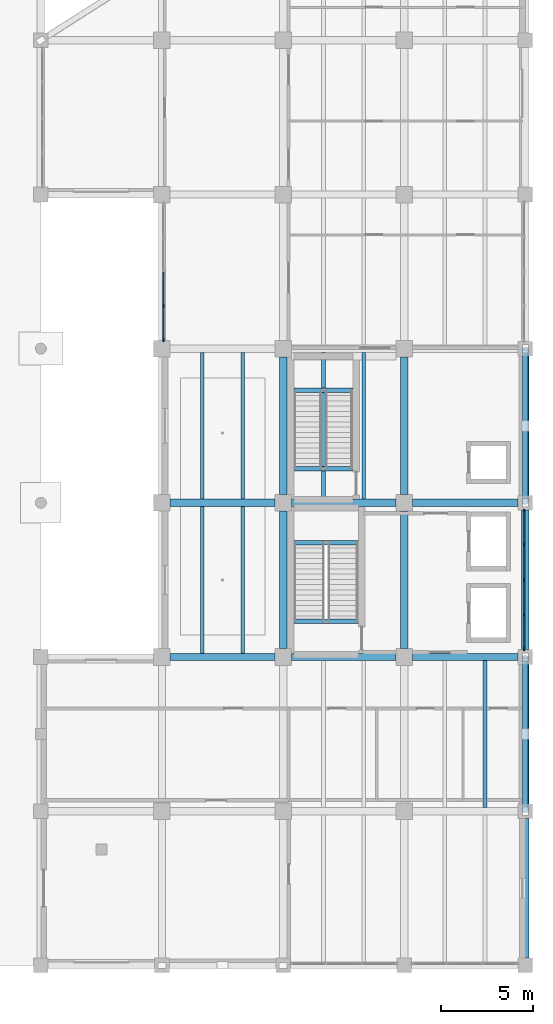
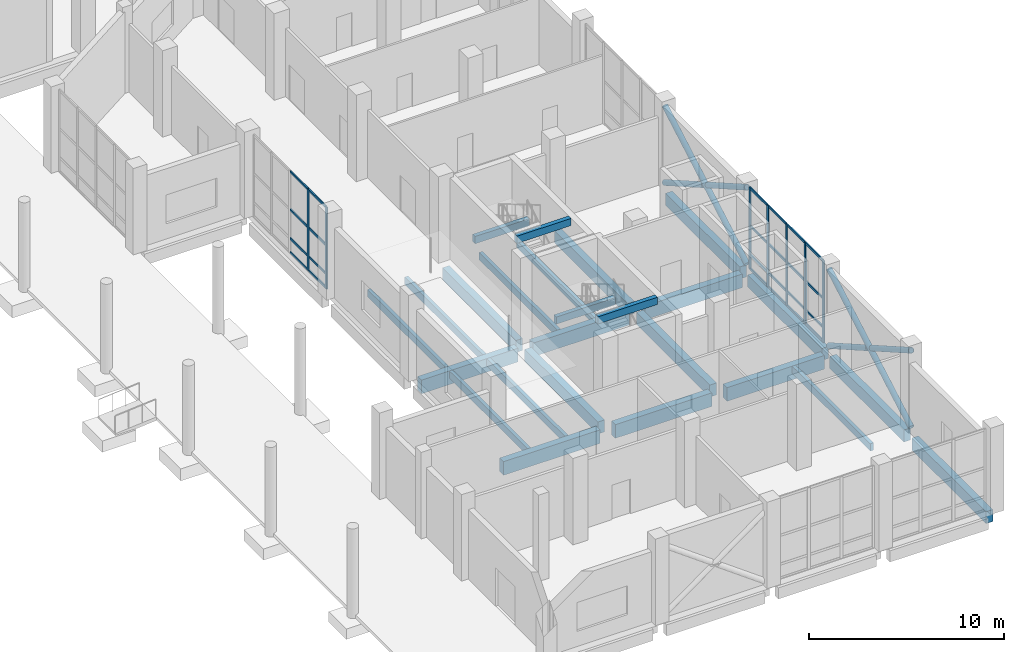
# One storey, part 17 of 64: 37 members, 25 beams, 2 elements without a shape of their own.
"""IFC4 building model written with IfcOpenShell, lengths in metres."""

from ifc_helpers import new_model, si_unit, direction, frame, origin, origin_2d, place, context, subcontext, project, spatial, rectangle, hollow_circle, extrude, material, material_profile, profile_set, type_object, element, aggregate, save


model = new_model("IFC4")

# Units and contexts
model_context = context("Model", 3, precision=1e-05, world=origin(), true_north=direction((0.0, 1.0)))
body_context = subcontext(model_context, "Body", "Model", "MODEL_VIEW")
ifc_project = project(units=[si_unit("LENGTHUNIT", "METRE"), si_unit("AREAUNIT", "SQUARE_METRE"), si_unit("VOLUMEUNIT", "CUBIC_METRE"), si_unit("PLANEANGLEUNIT", "RADIAN"), si_unit("MASSUNIT", "GRAM", prefix="KILO")], contexts=[model_context])

# Site, building, storey
site_placement = place(None, origin())
site = spatial("IfcSite", under=ifc_project, at=site_placement, CompositionType="ELEMENT")
building_placement = place(site_placement, origin())
building = spatial("IfcBuilding", under=site, at=building_placement, Name="Qaldarim Faculty of Natural and Applied Sciences", CompositionType="ELEMENT")
storey_placement = place(building_placement, origin())
storey = spatial("IfcBuildingStorey", under=building, at=storey_placement, Name="L00", CompositionType="ELEMENT", Elevation=0.0)

# Beams
ifc_material_1 = material(Name="Concrete C50/60", Category="concrete")
ifc_material_profile_1 = material_profile(ifc_material_1, rectangle(XDim=0.39990234375, YDim=0.75, at=origin_2d()), Name="RC-B400x750")
ifc_profile_set_1 = profile_set([ifc_material_profile_1], Name="Concrete C50/60")
beam_type_1 = type_object("IfcBeamType", Name="LabGirder-RC400x750", PredefinedType="BEAM", material=ifc_profile_set_1)
for number, where, z_axis, x_axis, name in (
    (1, (165.0, 17.25, -0.735107421875), (0.0, 1.0, 0.0), (-1.0, 0.0, 0.0), "Beam RC-B400x750 B01 X26/Y03-Y04"),
    (2, (165.0, 25.64990234375, -0.735107421875), (0.0, 1.0, 0.0), (-1.0, 0.0, 0.0), "Beam RC-B400x750 B01 X26/Y04-Y05"),
    (3, (171.60009765625, 17.25, -0.735107421875), (0.0, 1.0, 0.0), (-1.0, 0.0, 0.0), "Beam RC-B400x750 B01 X27/Y03-Y04"),
    (4, (171.60009765625, 25.64990234375, -0.735107421875), (0.0, 1.0, 0.0), (-1.0, 0.0, 0.0), "Beam RC-B400x750 B01 X27/Y04-Y05"),
):
    element("IfcBeam", number, at=place(storey_placement, frame(where, z_axis=z_axis, x_axis=x_axis)), inside=storey, type_object=beam_type_1, Name=name, PredefinedType="BEAM", context=body_context, shape_type="SweptSolid", body=[
        extrude(rectangle(XDim=0.39990234375, YDim=0.75, at=origin_2d()), origin(), (0.0, 0.0, 1.0), 7.5),
    ])
beam_1_placement = place(storey_placement, frame((178.199951171875, 0.39990234375, -0.735107421875), z_axis=(0.0, 1.0, 0.0), x_axis=(-1.0, 0.0, 0.0)))
element("IfcBeam", 5, at=beam_1_placement, inside=storey, type_object=beam_type_1, Name="Beam RC-B400x750 B01 X28/Y01-Y02", PredefinedType="BEAM", context=body_context, shape_type="SweptSolid", body=[
    extrude(rectangle(XDim=0.39990234375, YDim=0.75, at=origin_2d()), origin(), (0.0, 0.0, 1.0), 7.60009765625),
])
beam_2_placement = place(storey_placement, frame((178.199951171875, 8.800048828125, -0.735107421875), z_axis=(0.0, 1.0, 0.0), x_axis=(-1.0, 0.0, 0.0)))
element("IfcBeam", 6, at=beam_2_placement, inside=storey, type_object=beam_type_1, Name="Beam RC-B400x750 B01 X28/Y02-Y03", PredefinedType="BEAM", context=body_context, shape_type="SweptSolid", body=[
    extrude(rectangle(XDim=0.39990234375, YDim=0.75, at=origin_2d()), origin(), (0.0, 0.0, 1.0), 7.599853515625),
])
beam_3_placement = place(storey_placement, frame((178.199951171875, 17.199951171875, -0.735107421875), z_axis=(0.0, 1.0, 0.0), x_axis=(-1.0, 0.0, 0.0)))
element("IfcBeam", 7, at=beam_3_placement, inside=storey, type_object=beam_type_1, Name="Beam RC-B400x750 B01 X28/Y03-Y04", PredefinedType="BEAM", context=body_context, shape_type="SweptSolid", body=[
    extrude(rectangle(XDim=0.39990234375, YDim=0.75, at=origin_2d()), origin(), (0.0, 0.0, 1.0), 7.60009765625),
])
beam_4_placement = place(storey_placement, frame((178.199951171875, 25.60009765625, -0.735107421875), z_axis=(0.0, 1.0, 0.0), x_axis=(-1.0, 0.0, 0.0)))
element("IfcBeam", 8, at=beam_4_placement, inside=storey, type_object=beam_type_1, Name="Beam RC-B400x750 B01 X28/Y04-Y05", PredefinedType="BEAM", context=body_context, shape_type="SweptSolid", body=[
    extrude(rectangle(XDim=0.39990234375, YDim=0.75, at=origin_2d()), origin(), (0.0, 0.0, 1.0), 7.599853515625),
])
ifc_material_2 = material(Name="Concrete C40/50", Category="concrete")
ifc_material_profile_2 = material_profile(ifc_material_2, rectangle(XDim=0.199951171875, YDim=0.449951171875, at=origin_2d()), Name="RC-J200x450")
ifc_profile_set_2 = profile_set([ifc_material_profile_2], Name="Concrete C40/50")
beam_type_2 = type_object("IfcBeamType", Name="LabJoist-RC200x450", PredefinedType="JOIST", material=ifc_profile_set_2)
for number, where, z_axis, x_axis, name in (
    (9, (160.60009765625, 17.0, -0.5849609375), (0.0, 1.0, 0.0), (-1.0, 0.0, 0.0), "Laboratory joist B01 bay X25Y03-1"),
    (10, (162.800048828125, 17.0, -0.5849609375), (0.0, 1.0, 0.0), (-1.0, 0.0, 0.0), "Laboratory joist B01 bay X25Y03-2"),
    (11, (160.60009765625, 25.39990234375, -0.5849609375), (0.0, 1.0, 0.0), (-1.0, 0.0, 0.0), "Laboratory joist B01 bay X25Y04-1"),
    (12, (162.800048828125, 25.39990234375, -0.5849609375), (0.0, 1.0, 0.0), (-1.0, 0.0, 0.0), "Laboratory joist B01 bay X25Y04-2"),
    (13, (167.199951171875, 25.39990234375, -0.5849609375), (0.0, 1.0, 0.0), (-1.0, 0.0, 0.0), "Laboratory joist B01 bay X26Y04-1"),
    (14, (169.39990234375, 25.39990234375, -0.5849609375), (0.0, 1.0, 0.0), (-1.0, 0.0, 0.0), "Laboratory joist B01 bay X26Y04-2"),
    (15, (176.0, 8.60009765625, -0.5849609375), (0.0, 1.0, 0.0), (-1.0, 0.0, 0.0), "Laboratory joist B01 bay X27Y02-2"),
):
    element("IfcBeam", number, at=place(storey_placement, frame(where, z_axis=z_axis, x_axis=x_axis)), inside=storey, type_object=beam_type_2, Name=name, PredefinedType="JOIST", context=body_context, shape_type="SweptSolid", body=[
        extrude(rectangle(XDim=0.199951171875, YDim=0.449951171875, at=origin_2d()), origin(), (0.0, 0.0, 1.0), 8.0),
    ])
ifc_material_profile_3 = material_profile(ifc_material_2, rectangle(XDim=0.25, YDim=0.449951171875, at=origin_2d()), Name="RC-LN250x450")
ifc_profile_set_3 = profile_set([ifc_material_profile_3], Name="Concrete C40/50")
beam_type_3 = type_object("IfcBeamType", Name="LandingSupportBeam-RC250x450", PredefinedType="BEAM", material=ifc_profile_set_3)
for number, where, z_axis, x_axis, name in (
    (16, (165.60009765625, 23.02490234375, 2.264892578125), (1.0, 0.0, 0.0), (0.0, 1.0, 0.0), "Stair landing support beam ST-A1 L00"),
    (17, (165.60009765625, 18.75, 4.875), (1.0, 0.0, 0.0), (0.0, 1.0, 0.0), "Stair arrival support beam ST-A1 L00"),
):
    element("IfcBeam", number, at=place(storey_placement, frame(where, z_axis=z_axis, x_axis=x_axis)), inside=storey, type_object=beam_type_3, Name=name, PredefinedType="BEAM", context=body_context, shape_type="SweptSolid", body=[
        extrude(rectangle(XDim=0.25, YDim=0.449951171875, at=origin_2d()), origin(), (0.0, 0.0, 1.0), 3.5),
    ])
for number, where, z_axis, x_axis, name in (
    (18, (165.60009765625, 31.324951171875, 2.264892578125), (1.0, 0.0, 0.0), (0.0, 1.0, 0.0), "Stair landing support beam ST-A2 L00"),
    (19, (165.60009765625, 27.050048828125, 4.875), (1.0, 0.0, 0.0), (0.0, 1.0, 0.0), "Stair arrival support beam ST-A2 L00"),
):
    element("IfcBeam", number, at=place(storey_placement, frame(where, z_axis=z_axis, x_axis=x_axis)), inside=storey, type_object=beam_type_3, Name=name, PredefinedType="BEAM", context=body_context, shape_type="SweptSolid", body=[
        extrude(rectangle(XDim=0.25, YDim=0.449951171875, at=origin_2d()), origin(), (0.0, 0.0, 1.0), 3.199951171875),
    ])

# Members
ifc_material_3 = material(Name="Structural steel S355", Category="steel")
ifc_material_profile_4 = material_profile(ifc_material_3, hollow_circle(Radius=0.161865234375, WallThickness=0.02001953125, at=origin_2d()), Name="CHS 323.9x20.0")
ifc_profile_set_4 = profile_set([ifc_material_profile_4], Name="Structural steel S355")
member_type_1 = type_object("IfcMemberType", Name="LowerWingBrace-CHS323-9x20", PredefinedType="BRACE", material=ifc_profile_set_4)
member_1_placement = place(storey_placement, frame((178.199951171875, 8.39990234375, 0.0), z_axis=(0.0, 0.868244695015, 0.496136220789), x_axis=(-1.0, 0.0, 0.0)))
element("IfcMember", 20, at=member_1_placement, inside=storey, type_object=member_type_1, Name="East diagrid L00 primary brace L", PredefinedType="BRACE", context=body_context, shape_type="SweptSolid", body=[
    extrude(hollow_circle(Radius=0.161865234375, WallThickness=0.02001953125, at=origin_2d()), origin(), (0.0, 0.0, 1.0), 9.6748046875),
])
for number, where, z_axis, x_axis, name in (
    (21, (178.199951171875, 16.800048828125, 0.0), (0.0, -0.868373251321, 0.495911177924), (1.0, 0.0, 0.0), "East diagrid L00 split secondary lower brace R1"),
    (22, (178.199951171875, 12.409912109375, 2.510009765625), (0.0, -0.868373251321, 0.495911177924), (1.0, 0.0, 0.0), "East diagrid L00 split secondary upper brace R2"),
):
    element("IfcMember", number, at=place(storey_placement, frame(where, z_axis=z_axis, x_axis=x_axis)), inside=storey, type_object=member_type_1, Name=name, PredefinedType="BRACE", context=body_context, shape_type="SweptSolid", body=[
        extrude(hollow_circle(Radius=0.161865234375, WallThickness=0.02001953125, at=origin_2d()), origin(), (0.0, 0.0, 1.0), 4.617919921875),
    ])
member_2_placement = place(storey_placement, frame((178.199951171875, 25.199951171875, 0.0), z_axis=(0.0, 0.868244695015, 0.496136220789), x_axis=(-1.0, 0.0, 0.0)))
element("IfcMember", 23, at=member_2_placement, inside=storey, type_object=member_type_1, Name="Upper east diagrid L00 primary brace L", PredefinedType="BRACE", context=body_context, shape_type="SweptSolid", body=[
    extrude(hollow_circle(Radius=0.161865234375, WallThickness=0.02001953125, at=origin_2d()), origin(), (0.0, 0.0, 1.0), 9.6748046875),
])
for number, where, z_axis, x_axis, name in (
    (24, (178.199951171875, 33.60009765625, 0.0), (0.0, -0.868373251321, 0.495911177924), (1.0, 0.0, 0.0), "Upper east diagrid L00 split secondary lower brace R1"),
    (25, (178.199951171875, 29.2099609375, 2.510009765625), (0.0, -0.868373251321, 0.495911177924), (1.0, 0.0, 0.0), "Upper east diagrid L00 split secondary upper brace R2"),
):
    element("IfcMember", number, at=place(storey_placement, frame(where, z_axis=z_axis, x_axis=x_axis)), inside=storey, type_object=member_type_1, Name=name, PredefinedType="BRACE", context=body_context, shape_type="SweptSolid", body=[
        extrude(hollow_circle(Radius=0.161865234375, WallThickness=0.02001953125, at=origin_2d()), origin(), (0.0, 0.0, 1.0), 4.617919921875),
    ])

# Curtain wall, members
ifc_material_4 = material(Name="Anodised aluminium AW-6063", Category="aluminium")
curtain_wall_type = type_object("IfcCurtainWallType", Name="CurtainWallSystem-M1700", PredefinedType="USERDEFINED", material=ifc_material_4)
curtain_wall_1_placement = place(storey_placement, origin())
curtain_wall_1 = element("IfcCurtainWall", 26, at=curtain_wall_1_placement, inside=storey, type_object=curtain_wall_type, Name="Curtain wall CW-L00-W-X25Y05", ObjectType="UNITISED FACADE", PredefinedType="USERDEFINED")
ifc_material_profile_5 = material_profile(ifc_material_4, rectangle(XDim=0.070068359375, YDim=0.179931640625, at=origin_2d()), Name="ALU-M70x180")
ifc_profile_set_5 = profile_set([ifc_material_profile_5], Name="Anodised aluminium AW-6063")
member_type_2 = type_object("IfcMemberType", Name="Mullion-ALU70x180", PredefinedType="MULLION", material=ifc_profile_set_5)
member_3_placement = place(storey_placement, frame((158.47998046875, 35.922607421875, 0.0), z_axis=(0.0, 0.0, 1.0), x_axis=(1.0, 0.0, 0.0)))
member_3 = element("IfcMember", 27, at=member_3_placement, type_object=member_type_2, Name="Mullion 4 of CW-L00-W-X25Y05", PredefinedType="MULLION", context=body_context, shape_type="SweptSolid", body=[
    extrude(rectangle(XDim=0.070068359375, YDim=0.179931640625, at=origin_2d()), origin(), (0.0, 0.0, 1.0), 5.10009765625),
])
member_4_placement = place(storey_placement, frame((158.47998046875, 34.080078125, 0.0), z_axis=(0.0, 0.0, 1.0), x_axis=(1.0, 0.0, 0.0)))
member_4 = element("IfcMember", 28, at=member_4_placement, type_object=member_type_2, Name="Mullion 5 of CW-L00-W-X25Y05", PredefinedType="MULLION", context=body_context, shape_type="SweptSolid", body=[
    extrude(rectangle(XDim=0.070068359375, YDim=0.179931640625, at=origin_2d()), origin(), (0.0, 0.0, 1.0), 5.10009765625),
])

curtain_wall_2_placement = place(storey_placement, origin())
curtain_wall_2 = element("IfcCurtainWall", 29, at=curtain_wall_2_placement, inside=storey, type_object=curtain_wall_type, Name="Curtain wall CW-L00-E-X27Y03", ObjectType="UNITISED FACADE", PredefinedType="USERDEFINED")
member_5_placement = place(storey_placement, frame((178.1201171875, 17.22998046875, 0.0), z_axis=(0.0, 0.0, 1.0), x_axis=(-1.0, 0.0, 0.0)))
member_5 = element("IfcMember", 30, at=member_5_placement, type_object=member_type_2, Name="Mullion 1 of CW-L00-E-X27Y03", PredefinedType="MULLION", context=body_context, shape_type="SweptSolid", body=[
    extrude(rectangle(XDim=0.070068359375, YDim=0.179931640625, at=origin_2d()), origin(), (0.0, 0.0, 1.0), 5.10009765625),
])
member_6_placement = place(storey_placement, frame((178.1201171875, 19.097412109375, 0.0), z_axis=(0.0, 0.0, 1.0), x_axis=(-1.0, 0.0, 0.0)))
member_6 = element("IfcMember", 31, at=member_6_placement, type_object=member_type_2, Name="Mullion 2 of CW-L00-E-X27Y03", PredefinedType="MULLION", context=body_context, shape_type="SweptSolid", body=[
    extrude(rectangle(XDim=0.070068359375, YDim=0.179931640625, at=origin_2d()), origin(), (0.0, 0.0, 1.0), 5.10009765625),
])
member_7_placement = place(storey_placement, frame((178.1201171875, 21.0, 0.0), z_axis=(0.0, 0.0, 1.0), x_axis=(-1.0, 0.0, 0.0)))
member_7 = element("IfcMember", 32, at=member_7_placement, type_object=member_type_2, Name="Mullion 3 of CW-L00-E-X27Y03", PredefinedType="MULLION", context=body_context, shape_type="SweptSolid", body=[
    extrude(rectangle(XDim=0.070068359375, YDim=0.179931640625, at=origin_2d()), origin(), (0.0, 0.0, 1.0), 5.10009765625),
])
member_8_placement = place(storey_placement, frame((178.1201171875, 22.902587890625, 0.0), z_axis=(0.0, 0.0, 1.0), x_axis=(-1.0, 0.0, 0.0)))
member_8 = element("IfcMember", 33, at=member_8_placement, type_object=member_type_2, Name="Mullion 4 of CW-L00-E-X27Y03", PredefinedType="MULLION", context=body_context, shape_type="SweptSolid", body=[
    extrude(rectangle(XDim=0.070068359375, YDim=0.179931640625, at=origin_2d()), origin(), (0.0, 0.0, 1.0), 5.10009765625),
])
member_9_placement = place(storey_placement, frame((178.1201171875, 24.77001953125, 0.0), z_axis=(0.0, 0.0, 1.0), x_axis=(-1.0, 0.0, 0.0)))
member_9 = element("IfcMember", 34, at=member_9_placement, type_object=member_type_2, Name="Mullion 5 of CW-L00-E-X27Y03", PredefinedType="MULLION", context=body_context, shape_type="SweptSolid", body=[
    extrude(rectangle(XDim=0.070068359375, YDim=0.179931640625, at=origin_2d()), origin(), (0.0, 0.0, 1.0), 5.10009765625),
])

# Beams
ifc_material_profile_6 = material_profile(ifc_material_1, rectangle(XDim=0.39990234375, YDim=0.85009765625, at=origin_2d()), Name="RC-B400x850")
ifc_profile_set_6 = profile_set([ifc_material_profile_6], Name="Concrete C50/60")
beam_type_4 = type_object("IfcBeamType", Name="PodiumGirder-RC400x850", PredefinedType="BEAM", material=ifc_profile_set_6)
for number, where, z_axis, x_axis, name in (
    (35, (158.85009765625, 16.800048828125, -0.784912109375), (1.0, 0.0, 0.0), (0.0, 1.0, 0.0), "Beam RC-B400x850 B01 X25-X26/Y03"),
    (36, (165.449951171875, 16.800048828125, -0.784912109375), (1.0, 0.0, 0.0), (0.0, 1.0, 0.0), "Beam RC-B400x850 B01 X26-X27/Y03"),
):
    element("IfcBeam", number, at=place(storey_placement, frame(where, z_axis=z_axis, x_axis=x_axis)), inside=storey, type_object=beam_type_4, Name=name, PredefinedType="BEAM", context=body_context, shape_type="SweptSolid", body=[
        extrude(rectangle(XDim=0.39990234375, YDim=0.85009765625, at=origin_2d()), origin(), (0.0, 0.0, 1.0), 5.699951171875),
    ])
beam_5_placement = place(storey_placement, frame((172.050048828125, 16.800048828125, -0.784912109375), z_axis=(1.0, 0.0, 0.0), x_axis=(0.0, 1.0, 0.0)))
element("IfcBeam", 37, at=beam_5_placement, inside=storey, type_object=beam_type_4, Name="Beam RC-B400x850 B01 X27-X28/Y03", PredefinedType="BEAM", context=body_context, shape_type="SweptSolid", body=[
    extrude(rectangle(XDim=0.39990234375, YDim=0.85009765625, at=origin_2d()), origin(), (0.0, 0.0, 1.0), 5.75),
])
for number, where, z_axis, x_axis, name in (
    (38, (158.85009765625, 25.199951171875, -0.784912109375), (1.0, 0.0, 0.0), (0.0, 1.0, 0.0), "Beam RC-B400x850 B01 X25-X26/Y04"),
    (39, (165.449951171875, 25.199951171875, -0.784912109375), (1.0, 0.0, 0.0), (0.0, 1.0, 0.0), "Beam RC-B400x850 B01 X26-X27/Y04"),
):
    element("IfcBeam", number, at=place(storey_placement, frame(where, z_axis=z_axis, x_axis=x_axis)), inside=storey, type_object=beam_type_4, Name=name, PredefinedType="BEAM", context=body_context, shape_type="SweptSolid", body=[
        extrude(rectangle(XDim=0.39990234375, YDim=0.85009765625, at=origin_2d()), origin(), (0.0, 0.0, 1.0), 5.699951171875),
    ])
beam_6_placement = place(storey_placement, frame((172.050048828125, 25.199951171875, -0.784912109375), z_axis=(1.0, 0.0, 0.0), x_axis=(0.0, 1.0, 0.0)))
element("IfcBeam", 40, at=beam_6_placement, inside=storey, type_object=beam_type_4, Name="Beam RC-B400x850 B01 X27-X28/Y04", PredefinedType="BEAM", context=body_context, shape_type="SweptSolid", body=[
    extrude(rectangle(XDim=0.39990234375, YDim=0.85009765625, at=origin_2d()), origin(), (0.0, 0.0, 1.0), 5.75),
])

# Member
ifc_material_profile_7 = material_profile(ifc_material_4, rectangle(XDim=0.070068359375, YDim=0.139892578125, at=origin_2d()), Name="ALU-T70x140")
ifc_profile_set_7 = profile_set([ifc_material_profile_7], Name="Anodised aluminium AW-6063")
member_type_3 = type_object("IfcMemberType", Name="Transom-ALU70x140", PredefinedType="USERDEFINED", material=ifc_profile_set_7)
member_10_placement = place(storey_placement, frame((158.47998046875, 37.764892578125, 0.034912109375), z_axis=(0.0, -1.0, 0.0), x_axis=(1.0, 0.0, 0.0)))
member_10 = element("IfcMember", 41, at=member_10_placement, type_object=member_type_3, Name="Transom 3-1 of CW-L00-W-X25Y05", ObjectType="TRANSOM", PredefinedType="USERDEFINED", context=body_context, shape_type="SweptSolid", body=[
    extrude(rectangle(XDim=0.070068359375, YDim=0.139892578125, at=origin_2d()), origin(), (0.0, 0.0, 1.0), 1.807373046875),
])

member_11_placement = place(storey_placement, frame((158.47998046875, 37.764892578125, 0.89990234375), z_axis=(0.0, -1.0, 0.0), x_axis=(1.0, 0.0, 0.0)))
member_11 = element("IfcMember", 42, at=member_11_placement, type_object=member_type_3, Name="Transom 3-2 of CW-L00-W-X25Y05", ObjectType="TRANSOM", PredefinedType="USERDEFINED", context=body_context, shape_type="SweptSolid", body=[
    extrude(rectangle(XDim=0.070068359375, YDim=0.139892578125, at=origin_2d()), origin(), (0.0, 0.0, 1.0), 1.807373046875),
])

member_12_placement = place(storey_placement, frame((158.47998046875, 37.764892578125, 2.699951171875), z_axis=(0.0, -1.0, 0.0), x_axis=(1.0, 0.0, 0.0)))
member_12 = element("IfcMember", 43, at=member_12_placement, type_object=member_type_3, Name="Transom 3-3 of CW-L00-W-X25Y05", ObjectType="TRANSOM", PredefinedType="USERDEFINED", context=body_context, shape_type="SweptSolid", body=[
    extrude(rectangle(XDim=0.070068359375, YDim=0.139892578125, at=origin_2d()), origin(), (0.0, 0.0, 1.0), 1.807373046875),
])

member_13_placement = place(storey_placement, frame((158.47998046875, 37.764892578125, 5.06494140625), z_axis=(0.0, -1.0, 0.0), x_axis=(1.0, 0.0, 0.0)))
member_13 = element("IfcMember", 44, at=member_13_placement, type_object=member_type_3, Name="Transom 3-4 of CW-L00-W-X25Y05", ObjectType="TRANSOM", PredefinedType="USERDEFINED", context=body_context, shape_type="SweptSolid", body=[
    extrude(rectangle(XDim=0.070068359375, YDim=0.139892578125, at=origin_2d()), origin(), (0.0, 0.0, 1.0), 1.807373046875),
])

member_14_placement = place(storey_placement, frame((158.47998046875, 35.887451171875, 0.034912109375), z_axis=(0.0, -1.0, 0.0), x_axis=(1.0, 0.0, 0.0)))
member_14 = element("IfcMember", 45, at=member_14_placement, type_object=member_type_3, Name="Transom 4-1 of CW-L00-W-X25Y05", ObjectType="TRANSOM", PredefinedType="USERDEFINED", context=body_context, shape_type="SweptSolid", body=[
    extrude(rectangle(XDim=0.070068359375, YDim=0.139892578125, at=origin_2d()), origin(), (0.0, 0.0, 1.0), 1.7724609375),
])

member_15_placement = place(storey_placement, frame((158.47998046875, 35.887451171875, 0.89990234375), z_axis=(0.0, -1.0, 0.0), x_axis=(1.0, 0.0, 0.0)))
member_15 = element("IfcMember", 46, at=member_15_placement, type_object=member_type_3, Name="Transom 4-2 of CW-L00-W-X25Y05", ObjectType="TRANSOM", PredefinedType="USERDEFINED", context=body_context, shape_type="SweptSolid", body=[
    extrude(rectangle(XDim=0.070068359375, YDim=0.139892578125, at=origin_2d()), origin(), (0.0, 0.0, 1.0), 1.7724609375),
])

member_16_placement = place(storey_placement, frame((158.47998046875, 35.887451171875, 2.699951171875), z_axis=(0.0, -1.0, 0.0), x_axis=(1.0, 0.0, 0.0)))
member_16 = element("IfcMember", 47, at=member_16_placement, type_object=member_type_3, Name="Transom 4-3 of CW-L00-W-X25Y05", ObjectType="TRANSOM", PredefinedType="USERDEFINED", context=body_context, shape_type="SweptSolid", body=[
    extrude(rectangle(XDim=0.070068359375, YDim=0.139892578125, at=origin_2d()), origin(), (0.0, 0.0, 1.0), 1.7724609375),
])

member_17_placement = place(storey_placement, frame((158.47998046875, 35.887451171875, 5.06494140625), z_axis=(0.0, -1.0, 0.0), x_axis=(1.0, 0.0, 0.0)))
member_17 = element("IfcMember", 48, at=member_17_placement, type_object=member_type_3, Name="Transom 4-4 of CW-L00-W-X25Y05", ObjectType="TRANSOM", PredefinedType="USERDEFINED", context=body_context, shape_type="SweptSolid", body=[
    extrude(rectangle(XDim=0.070068359375, YDim=0.139892578125, at=origin_2d()), origin(), (0.0, 0.0, 1.0), 1.7724609375),
])

aggregate(curtain_wall_1, [member_3, member_4, member_10, member_11, member_12, member_13, member_14, member_15, member_16, member_17])

member_18_placement = place(storey_placement, frame((178.1201171875, 17.264892578125, 0.034912109375), z_axis=(0.0, 1.0, 0.0), x_axis=(-1.0, 0.0, 0.0)))
member_18 = element("IfcMember", 49, at=member_18_placement, type_object=member_type_3, Name="Transom 1-1 of CW-L00-E-X27Y03", ObjectType="TRANSOM", PredefinedType="USERDEFINED", context=body_context, shape_type="SweptSolid", body=[
    extrude(rectangle(XDim=0.070068359375, YDim=0.139892578125, at=origin_2d()), origin(), (0.0, 0.0, 1.0), 1.797607421875),
])

member_19_placement = place(storey_placement, frame((178.1201171875, 17.264892578125, 0.89990234375), z_axis=(0.0, 1.0, 0.0), x_axis=(-1.0, 0.0, 0.0)))
member_19 = element("IfcMember", 50, at=member_19_placement, type_object=member_type_3, Name="Transom 1-2 of CW-L00-E-X27Y03", ObjectType="TRANSOM", PredefinedType="USERDEFINED", context=body_context, shape_type="SweptSolid", body=[
    extrude(rectangle(XDim=0.070068359375, YDim=0.139892578125, at=origin_2d()), origin(), (0.0, 0.0, 1.0), 1.797607421875),
])

member_20_placement = place(storey_placement, frame((178.1201171875, 17.264892578125, 2.699951171875), z_axis=(0.0, 1.0, 0.0), x_axis=(-1.0, 0.0, 0.0)))
member_20 = element("IfcMember", 51, at=member_20_placement, type_object=member_type_3, Name="Transom 1-3 of CW-L00-E-X27Y03", ObjectType="TRANSOM", PredefinedType="USERDEFINED", context=body_context, shape_type="SweptSolid", body=[
    extrude(rectangle(XDim=0.070068359375, YDim=0.139892578125, at=origin_2d()), origin(), (0.0, 0.0, 1.0), 1.797607421875),
])

member_21_placement = place(storey_placement, frame((178.1201171875, 17.264892578125, 5.06494140625), z_axis=(0.0, 1.0, 0.0), x_axis=(-1.0, 0.0, 0.0)))
member_21 = element("IfcMember", 52, at=member_21_placement, type_object=member_type_3, Name="Transom 1-4 of CW-L00-E-X27Y03", ObjectType="TRANSOM", PredefinedType="USERDEFINED", context=body_context, shape_type="SweptSolid", body=[
    extrude(rectangle(XDim=0.070068359375, YDim=0.139892578125, at=origin_2d()), origin(), (0.0, 0.0, 1.0), 1.797607421875),
])

member_22_placement = place(storey_placement, frame((178.1201171875, 19.132568359375, 0.034912109375), z_axis=(0.0, 1.0, 0.0), x_axis=(-1.0, 0.0, 0.0)))
member_22 = element("IfcMember", 53, at=member_22_placement, type_object=member_type_3, Name="Transom 2-1 of CW-L00-E-X27Y03", ObjectType="TRANSOM", PredefinedType="USERDEFINED", context=body_context, shape_type="SweptSolid", body=[
    extrude(rectangle(XDim=0.070068359375, YDim=0.139892578125, at=origin_2d()), origin(), (0.0, 0.0, 1.0), 1.83251953125),
])

member_23_placement = place(storey_placement, frame((178.1201171875, 19.132568359375, 0.89990234375), z_axis=(0.0, 1.0, 0.0), x_axis=(-1.0, 0.0, 0.0)))
member_23 = element("IfcMember", 54, at=member_23_placement, type_object=member_type_3, Name="Transom 2-2 of CW-L00-E-X27Y03", ObjectType="TRANSOM", PredefinedType="USERDEFINED", context=body_context, shape_type="SweptSolid", body=[
    extrude(rectangle(XDim=0.070068359375, YDim=0.139892578125, at=origin_2d()), origin(), (0.0, 0.0, 1.0), 1.83251953125),
])

member_24_placement = place(storey_placement, frame((178.1201171875, 19.132568359375, 2.699951171875), z_axis=(0.0, 1.0, 0.0), x_axis=(-1.0, 0.0, 0.0)))
member_24 = element("IfcMember", 55, at=member_24_placement, type_object=member_type_3, Name="Transom 2-3 of CW-L00-E-X27Y03", ObjectType="TRANSOM", PredefinedType="USERDEFINED", context=body_context, shape_type="SweptSolid", body=[
    extrude(rectangle(XDim=0.070068359375, YDim=0.139892578125, at=origin_2d()), origin(), (0.0, 0.0, 1.0), 1.83251953125),
])

member_25_placement = place(storey_placement, frame((178.1201171875, 19.132568359375, 5.06494140625), z_axis=(0.0, 1.0, 0.0), x_axis=(-1.0, 0.0, 0.0)))
member_25 = element("IfcMember", 56, at=member_25_placement, type_object=member_type_3, Name="Transom 2-4 of CW-L00-E-X27Y03", ObjectType="TRANSOM", PredefinedType="USERDEFINED", context=body_context, shape_type="SweptSolid", body=[
    extrude(rectangle(XDim=0.070068359375, YDim=0.139892578125, at=origin_2d()), origin(), (0.0, 0.0, 1.0), 1.83251953125),
])

member_26_placement = place(storey_placement, frame((178.1201171875, 21.034912109375, 0.034912109375), z_axis=(0.0, 1.0, 0.0), x_axis=(-1.0, 0.0, 0.0)))
member_26 = element("IfcMember", 57, at=member_26_placement, type_object=member_type_3, Name="Transom 3-1 of CW-L00-E-X27Y03", ObjectType="TRANSOM", PredefinedType="USERDEFINED", context=body_context, shape_type="SweptSolid", body=[
    extrude(rectangle(XDim=0.070068359375, YDim=0.139892578125, at=origin_2d()), origin(), (0.0, 0.0, 1.0), 1.83251953125),
])

member_27_placement = place(storey_placement, frame((178.1201171875, 21.034912109375, 0.89990234375), z_axis=(0.0, 1.0, 0.0), x_axis=(-1.0, 0.0, 0.0)))
member_27 = element("IfcMember", 58, at=member_27_placement, type_object=member_type_3, Name="Transom 3-2 of CW-L00-E-X27Y03", ObjectType="TRANSOM", PredefinedType="USERDEFINED", context=body_context, shape_type="SweptSolid", body=[
    extrude(rectangle(XDim=0.070068359375, YDim=0.139892578125, at=origin_2d()), origin(), (0.0, 0.0, 1.0), 1.83251953125),
])

member_28_placement = place(storey_placement, frame((178.1201171875, 21.034912109375, 2.699951171875), z_axis=(0.0, 1.0, 0.0), x_axis=(-1.0, 0.0, 0.0)))
member_28 = element("IfcMember", 59, at=member_28_placement, type_object=member_type_3, Name="Transom 3-3 of CW-L00-E-X27Y03", ObjectType="TRANSOM", PredefinedType="USERDEFINED", context=body_context, shape_type="SweptSolid", body=[
    extrude(rectangle(XDim=0.070068359375, YDim=0.139892578125, at=origin_2d()), origin(), (0.0, 0.0, 1.0), 1.83251953125),
])

member_29_placement = place(storey_placement, frame((178.1201171875, 21.034912109375, 5.06494140625), z_axis=(0.0, 1.0, 0.0), x_axis=(-1.0, 0.0, 0.0)))
member_29 = element("IfcMember", 60, at=member_29_placement, type_object=member_type_3, Name="Transom 3-4 of CW-L00-E-X27Y03", ObjectType="TRANSOM", PredefinedType="USERDEFINED", context=body_context, shape_type="SweptSolid", body=[
    extrude(rectangle(XDim=0.070068359375, YDim=0.139892578125, at=origin_2d()), origin(), (0.0, 0.0, 1.0), 1.83251953125),
])

member_30_placement = place(storey_placement, frame((178.1201171875, 22.9375, 0.034912109375), z_axis=(0.0, 1.0, 0.0), x_axis=(-1.0, 0.0, 0.0)))
member_30 = element("IfcMember", 61, at=member_30_placement, type_object=member_type_3, Name="Transom 4-1 of CW-L00-E-X27Y03", ObjectType="TRANSOM", PredefinedType="USERDEFINED", context=body_context, shape_type="SweptSolid", body=[
    extrude(rectangle(XDim=0.070068359375, YDim=0.139892578125, at=origin_2d()), origin(), (0.0, 0.0, 1.0), 1.797607421875),
])

member_31_placement = place(storey_placement, frame((178.1201171875, 22.9375, 0.89990234375), z_axis=(0.0, 1.0, 0.0), x_axis=(-1.0, 0.0, 0.0)))
member_31 = element("IfcMember", 62, at=member_31_placement, type_object=member_type_3, Name="Transom 4-2 of CW-L00-E-X27Y03", ObjectType="TRANSOM", PredefinedType="USERDEFINED", context=body_context, shape_type="SweptSolid", body=[
    extrude(rectangle(XDim=0.070068359375, YDim=0.139892578125, at=origin_2d()), origin(), (0.0, 0.0, 1.0), 1.797607421875),
])

member_32_placement = place(storey_placement, frame((178.1201171875, 22.9375, 2.699951171875), z_axis=(0.0, 1.0, 0.0), x_axis=(-1.0, 0.0, 0.0)))
member_32 = element("IfcMember", 63, at=member_32_placement, type_object=member_type_3, Name="Transom 4-3 of CW-L00-E-X27Y03", ObjectType="TRANSOM", PredefinedType="USERDEFINED", context=body_context, shape_type="SweptSolid", body=[
    extrude(rectangle(XDim=0.070068359375, YDim=0.139892578125, at=origin_2d()), origin(), (0.0, 0.0, 1.0), 1.797607421875),
])

member_33_placement = place(storey_placement, frame((178.1201171875, 22.9375, 5.06494140625), z_axis=(0.0, 1.0, 0.0), x_axis=(-1.0, 0.0, 0.0)))
member_33 = element("IfcMember", 64, at=member_33_placement, type_object=member_type_3, Name="Transom 4-4 of CW-L00-E-X27Y03", ObjectType="TRANSOM", PredefinedType="USERDEFINED", context=body_context, shape_type="SweptSolid", body=[
    extrude(rectangle(XDim=0.070068359375, YDim=0.139892578125, at=origin_2d()), origin(), (0.0, 0.0, 1.0), 1.797607421875),
])

aggregate(curtain_wall_2, [member_5, member_6, member_7, member_8, member_9, member_18, member_19, member_20, member_21, member_22, member_23, member_24, member_25, member_26, member_27, member_28, member_29, member_30, member_31, member_32, member_33])

save(model, "model.ifc")
